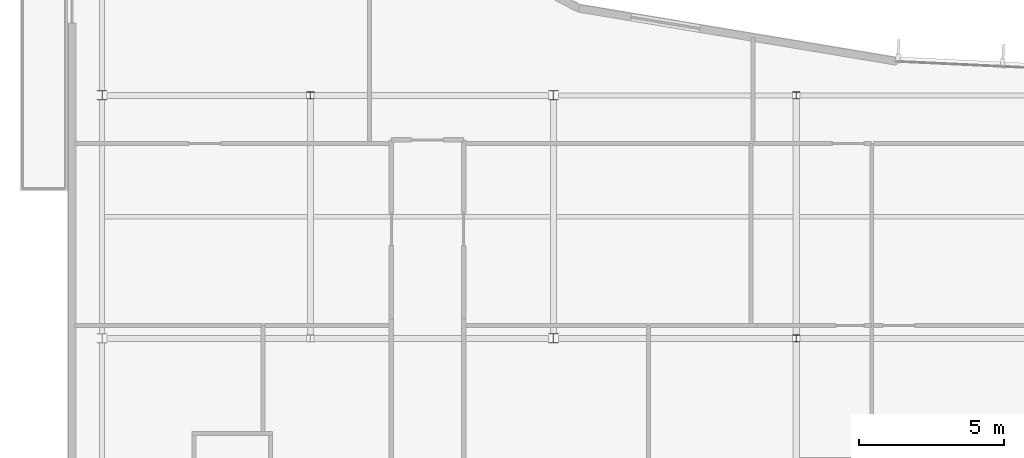
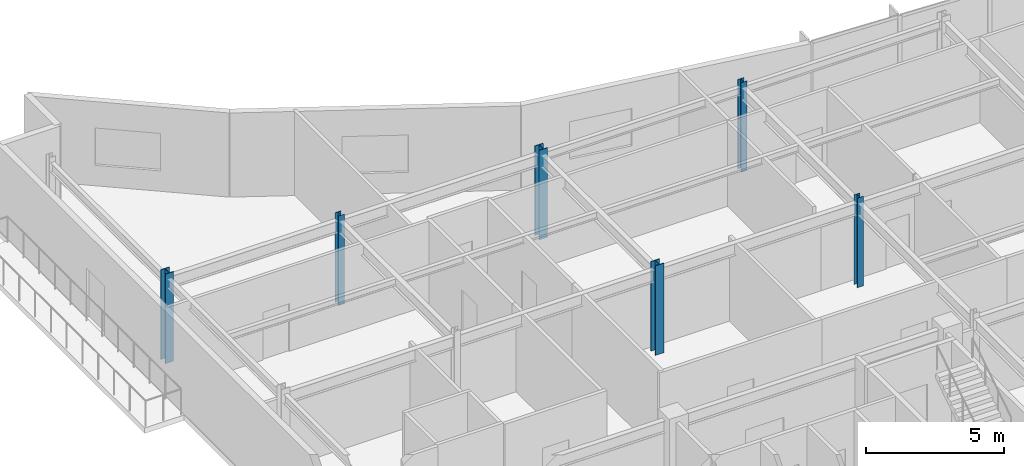
# One storey, part 2 of 16: 6 columns.
"""IFC4 building model written with IfcOpenShell, lengths in metres."""

from ifc_helpers import new_model, si_unit, direction, frame, origin, origin_2d, place, context, subcontext, project, spatial, i_section, extrude, material, material_profile, profile_set, type_object, element, save


model = new_model("IFC4")

# Units and contexts
model_context = context("Model", 3, precision=1e-05, world=origin(), true_north=direction((0.0, 1.0)))
body_context = subcontext(model_context, "Body", "Model", "MODEL_VIEW")
ifc_project = project(units=[si_unit("LENGTHUNIT", "METRE"), si_unit("AREAUNIT", "SQUARE_METRE"), si_unit("VOLUMEUNIT", "CUBIC_METRE"), si_unit("PLANEANGLEUNIT", "RADIAN"), si_unit("MASSUNIT", "GRAM", prefix="KILO")], contexts=[model_context])

# Site, building, storey
site_placement = place(None, origin())
site = spatial("IfcSite", under=ifc_project, at=site_placement, CompositionType="ELEMENT")
building_placement = place(site_placement, origin())
building = spatial("IfcBuilding", under=site, at=building_placement, Name="Varnakote Quay Hospital", CompositionType="ELEMENT")
storey_placement = place(building_placement, frame((0.0, 0.0, 264.449951171875)))
storey = spatial("IfcBuildingStorey", under=building, at=storey_placement, Name="L65", CompositionType="ELEMENT", Elevation=264.449951171875)

# Columns
ifc_material_1 = material(Name="Structural steel AS/NZS 3679.1 Grade 350 L0 (fy 340 MPa)", Category="steel")
ifc_material_profile_1 = material_profile(ifc_material_1, i_section(OverallWidth=0.25390625, OverallDepth=0.25390625, WebThickness=0.008544921875, FlangeThickness=0.01416015625, FilletRadius=0.0126953125, at=origin_2d()), Name="250UC72.9")
ifc_profile_set_1 = profile_set([ifc_material_profile_1], Name="Structural steel AS/NZS 3679.1 Grade 350 L0 (fy 340 MPa)")
column_type_1 = type_object("IfcColumnType", Name="COL-STL-250UC72-9", PredefinedType="COLUMN", material=ifc_profile_set_1)
for number, where, z_axis, x_axis, name in (
    (1, (25.199951171875, 20.39990234375, 0.0), (0.0, 0.0, 1.0), (1.0, 0.0, 0.0), "L65 Structural Column C-25-20"),
    (2, (8.39990234375, 28.800048828125, 0.0), (0.0, 0.0, 1.0), (1.0, 0.0, 0.0), "L65 Structural Column C-8-29"),
    (3, (25.199951171875, 28.800048828125, 0.0), (0.0, 0.0, 1.0), (1.0, 0.0, 0.0), "L65 Structural Column C-25-29"),
):
    element("IfcColumn", number, at=place(storey_placement, frame(where, z_axis=z_axis, x_axis=x_axis)), inside=storey, type_object=column_type_1, Name=name, PredefinedType="COLUMN", context=body_context, shape_type="SweptSolid", body=[
        extrude(i_section(OverallWidth=0.25390625, OverallDepth=0.25390625, WebThickness=0.008544921875, FlangeThickness=0.01416015625, FilletRadius=0.0126953125, at=origin_2d()), origin(), (0.0, 0.0, 1.0), 3.949951171875),
    ])
ifc_material_2 = material(Name="Structural steel AS/NZS 3678 Grade 350 (fy 340 MPa)", Category="steel")
ifc_material_profile_2 = material_profile(ifc_material_2, i_section(OverallWidth=0.35009765625, OverallDepth=0.340087890625, WebThickness=0.01611328125, FlangeThickness=0.028076171875, at=origin_2d()), Name="350WC197")
ifc_profile_set_2 = profile_set([ifc_material_profile_2], Name="Structural steel AS/NZS 3678 Grade 350 (fy 340 MPa)")
column_type_2 = type_object("IfcColumnType", Name="COL-STL-350WC197", PredefinedType="COLUMN", material=ifc_profile_set_2)
for number, where, z_axis, x_axis, name in (
    (4, (16.800048828125, 20.39990234375, 0.0), (0.0, 0.0, 1.0), (1.0, 0.0, 0.0), "L65 Structural Column C-17-20"),
    (5, (1.199951171875, 28.800048828125, 0.0), (0.0, 0.0, 1.0), (1.0, 0.0, 0.0), "L65 Structural Column C-1-29"),
    (6, (16.800048828125, 28.800048828125, 0.0), (0.0, 0.0, 1.0), (1.0, 0.0, 0.0), "L65 Structural Column C-17-29"),
):
    element("IfcColumn", number, at=place(storey_placement, frame(where, z_axis=z_axis, x_axis=x_axis)), inside=storey, type_object=column_type_2, Name=name, PredefinedType="COLUMN", context=body_context, shape_type="SweptSolid", body=[
        extrude(i_section(OverallWidth=0.35009765625, OverallDepth=0.340087890625, WebThickness=0.01611328125, FlangeThickness=0.028076171875, at=origin_2d()), origin(), (0.0, 0.0, 1.0), 3.949951171875),
    ])

save(model, "model.ifc")
